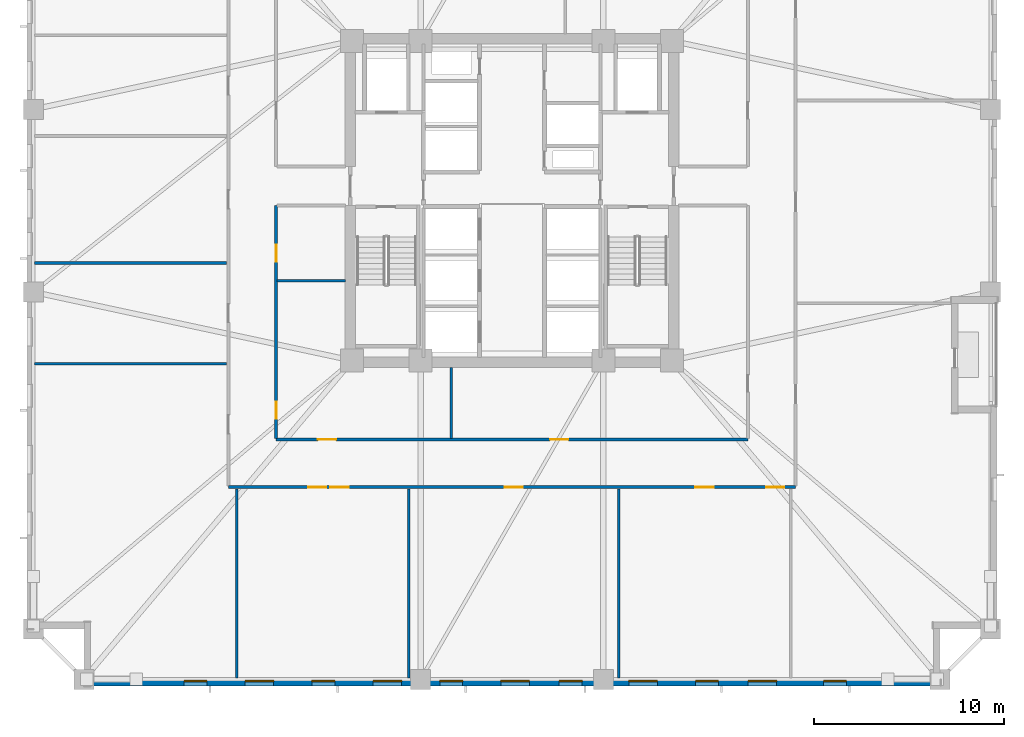
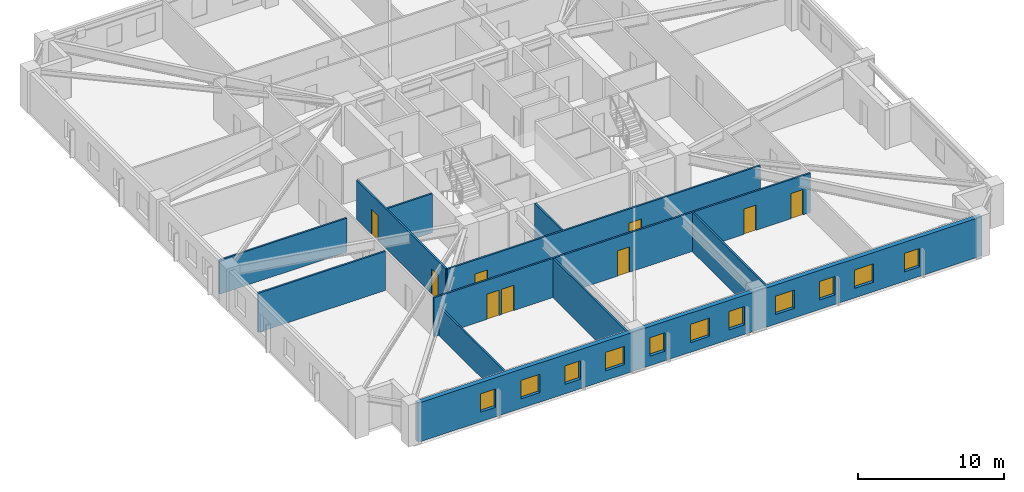
# One storey, part 2 of 11: 11 walls, 11 windows, 9 doors, 20 openings.
"""IFC4 building model written with IfcOpenShell, lengths in metres."""

import ifcopenshell
import ifcopenshell.guid

model = None  # the IFC model being written
_history = None  # IfcOwnerHistory: only IFC2X3 demands one
_inside = {}  # id of a spatial element -> (the spatial element, [elements in it])
_under = {}  # id of a project, library or spatial element -> (it, [spatial elements below it])
_declared = {}  # id of a project -> (the project, [libraries it declares])
_typed = {}  # id of a type object -> (the type object, [elements of that type])
_made_of = {}  # id of a material, layer set ... -> (it, [elements and type objects made of it])


def new_model(schema):
    """Start an empty IFC model of exactly this schema.

    Asked for "IFC4X3", IfcOpenShell would pick the latest addendum, in which some entities
    have other attributes; the version numbers below select the first issue.
    IFC2X3 requires an IfcOwnerHistory on every rooted entity: one is made here for all.
    """
    global model, _history
    if schema == "IFC4X3":
        model = ifcopenshell.file(schema_version=(4, 3, 0, 0))
    else:
        model = ifcopenshell.file(schema=schema)
    _inside.clear()
    _under.clear()
    _declared.clear()
    _typed.clear()
    _made_of.clear()
    _history = None
    if model.schema == "IFC2X3":
        org = make("IfcOrganization", Name="unknown")
        user = make(
            "IfcPersonAndOrganization",
            ThePerson=make("IfcPerson", FamilyName="unknown"),
            TheOrganization=org,
        )
        app = make(
            "IfcApplication",
            ApplicationDeveloper=org,
            Version="unknown",
            ApplicationFullName="unknown",
            ApplicationIdentifier="unknown",
        )
        _history = make(
            "IfcOwnerHistory",
            OwningUser=user,
            OwningApplication=app,
            ChangeAction="ADDED",
            CreationDate=0,
        )
    return model


def make(cls, **values):
    """One entity of the class cls with the attributes given. An attribute that is None is left unset."""
    return model.create_entity(
        cls, **{name: value for name, value in values.items() if value is not None}
    )


def rooted(cls, **values):
    """An entity with a GlobalId (a new one), such as an element, a storey or a relation."""
    return make(cls, GlobalId=ifcopenshell.guid.new(), OwnerHistory=_history, **values)


def si_unit(unit_type, name, prefix=None):
    """IfcSIUnit, for example si_unit("LENGTHUNIT", "METRE", prefix="MILLI")."""
    return make("IfcSIUnit", UnitType=unit_type, Prefix=prefix, Name=name)


def assignment(units):
    """IfcUnitAssignment: the units of a project."""
    return None if units is None else make("IfcUnitAssignment", Units=units)


def point(xyz):
    """IfcCartesianPoint."""
    return None if xyz is None else make("IfcCartesianPoint", Coordinates=xyz)


def direction(xyz):
    """IfcDirection."""
    return None if xyz is None else make("IfcDirection", DirectionRatios=xyz)


def frame(location, z_axis=None, x_axis=None):
    """IfcAxis2Placement3D, a coordinate frame: its origin and axes. An axis left out is left unset."""
    return make(
        "IfcAxis2Placement3D",
        Location=point(location),
        Axis=direction(z_axis),
        RefDirection=direction(x_axis),
    )


def frame_2d(location, x_axis=None):
    """IfcAxis2Placement2D, a coordinate frame in the plane: its origin and x axis."""
    return make(
        "IfcAxis2Placement2D", Location=point(location), RefDirection=direction(x_axis)
    )


def origin():
    """The frame at (0, 0, 0) with its axes left unset."""
    return frame((0.0, 0.0, 0.0))


def place(relative_to, where):
    """IfcLocalPlacement: puts the frame where relative to a parent placement (None: the world)."""
    return make(
        "IfcLocalPlacement", PlacementRelTo=relative_to, RelativePlacement=where
    )


def context(
    kind, dimensions, precision=None, world=None, true_north=None, identifier=None
):
    """IfcGeometricRepresentationContext, for example the 3D "Model" context."""
    return make(
        "IfcGeometricRepresentationContext",
        ContextIdentifier=identifier,
        ContextType=kind,
        CoordinateSpaceDimension=dimensions,
        Precision=precision,
        WorldCoordinateSystem=world,
        TrueNorth=true_north,
    )


def subcontext(parent, identifier, kind, view, scale=None):
    """IfcGeometricRepresentationSubContext, for example "Body" below "Model"."""
    return make(
        "IfcGeometricRepresentationSubContext",
        ContextIdentifier=identifier,
        ContextType=kind,
        ParentContext=parent,
        TargetScale=scale,
        TargetView=view,
    )


def project(units=None, contexts=None):
    """IfcProject with its units and contexts."""
    return rooted(
        "IfcProject",
        Name="project",
        RepresentationContexts=contexts,
        UnitsInContext=assignment(units),
    )


def spatial(cls, under=None, at=None, **own):
    """A site, building, storey or space (cls), placed at a placement, below another one or the project."""
    s = rooted(cls, ObjectPlacement=at, **own)
    if under is not None:
        _under.setdefault(under.id(), (under, []))[1].append(s)
    return s


def profile(cls, at=None, kind="AREA", **sizes):
    """A parametric profile (cls). Its sizes go by their IFC names, for example OverallWidth=200.0."""
    return make(cls, ProfileType=kind, Position=at, **sizes)


def rectangle(**sizes):
    """IfcRectangleProfileDef."""
    return profile("IfcRectangleProfileDef", **sizes)


def extrude(swept, where, along, depth):
    """IfcExtrudedAreaSolid: the profile swept, set in the frame where, extruded along a direction by depth."""
    return make(
        "IfcExtrudedAreaSolid",
        SweptArea=swept,
        Position=where,
        ExtrudedDirection=direction(along),
        Depth=depth,
    )


def shape(context_of_items, identifier, shape_type, items):
    """IfcShapeRepresentation: the items that make up one representation, for example the "Body"."""
    return make(
        "IfcShapeRepresentation",
        ContextOfItems=context_of_items,
        RepresentationIdentifier=identifier,
        RepresentationType=shape_type,
        Items=items,
    )


def material(Name=None, Category=None):
    """IfcMaterial."""
    return make("IfcMaterial", Name=Name, Category=Category)


def layer(
    of_material, thickness, ventilated=None, Name=None, Category=None, Priority=None
):
    """IfcMaterialLayer: one layer of a wall or slab, of a material (None: an air gap)."""
    return make(
        "IfcMaterialLayer",
        Material=of_material,
        LayerThickness=thickness,
        IsVentilated=ventilated,
        Name=Name,
        Category=Category,
        Priority=Priority,
    )


def layer_set(layers, Name=None):
    """IfcMaterialLayerSet."""
    return make("IfcMaterialLayerSet", MaterialLayers=layers, LayerSetName=Name)


def made_of(thing, what):
    """Note that an element or type object is made of a material, layer set ...; save() writes the relation."""
    if what is not None:
        _made_of.setdefault(what.id(), (what, []))[1].append(thing)
    return thing


def type_object(cls, material=None, **own):
    """A type object (cls), such as IfcWallType, which elements share."""
    return made_of(rooted(cls, **own), material)


def element(
    cls,
    number,
    at=None,
    inside=None,
    cuts=None,
    type_object=None,
    material=None,
    context=None,
    identifier="Body",
    shape_type=None,
    held_by="IfcProductDefinitionShape",
    body=None,
    shapes=None,
    **own,
):
    """One element of the class cls, such as IfcWall. Its Tag is "e" and its number.

    at: its placement. inside: the storey or other place that contains it. cuts: it is an
    opening in that element (IfcRelVoidsElement). A single representation is given by context,
    identifier, shape_type and body (its items); several are given by shapes. held_by: the class
    of the entity that holds the representations. save() writes the other relations.
    """
    e = rooted(cls, Tag="e%d" % number, ObjectPlacement=at, **own)
    if body is not None:
        shapes = [shape(context, identifier, shape_type, body)]
    if shapes is not None:
        e.Representation = make(held_by, Representations=shapes)
    if inside is not None:
        _inside.setdefault(inside.id(), (inside, []))[1].append(e)
    if cuts is not None:
        rooted(
            "IfcRelVoidsElement", RelatingBuildingElement=cuts, RelatedOpeningElement=e
        )
    if type_object is not None:
        _typed.setdefault(type_object.id(), (type_object, []))[1].append(e)
    return made_of(e, material)


def fill(opening, filler):
    """IfcRelFillsElement: the door or window that sits in an opening."""
    return rooted(
        "IfcRelFillsElement",
        RelatingOpeningElement=opening,
        RelatedBuildingElement=filler,
    )


def aggregate(whole, parts):
    """IfcRelAggregates: a whole, such as a stair, and the parts it consists of."""
    return rooted("IfcRelAggregates", RelatingObject=whole, RelatedObjects=parts)


def save(model, path):
    """Write the relations noted so far, then the file.

    IfcRelAggregates (storeys below a building ...), IfcRelContainedInSpatialStructure (elements
    in a storey), IfcRelDefinesByType, IfcRelAssociatesMaterial and IfcRelDeclares: one each for
    every whole, place, type object, material and project.
    """
    for whole, parts in _under.values():
        aggregate(whole, parts)
    for where, things in _inside.values():
        rooted(
            "IfcRelContainedInSpatialStructure",
            RelatedElements=things,
            RelatingStructure=where,
        )
    for kind, things in _typed.values():
        rooted("IfcRelDefinesByType", RelatedObjects=things, RelatingType=kind)
    for what, things in _made_of.values():
        rooted("IfcRelAssociatesMaterial", RelatedObjects=things, RelatingMaterial=what)
    for by, libraries in _declared.values():
        rooted("IfcRelDeclares", RelatingContext=by, RelatedDefinitions=libraries)
    model.write(path)


model = new_model("IFC4")

# Units and contexts
model_context = context("Model", 3, precision=1e-05, world=origin(), true_north=direction((0.0, 1.0)))
body_context = subcontext(model_context, "Body", "Model", "MODEL_VIEW")
ifc_project = project(units=[si_unit("LENGTHUNIT", "METRE"), si_unit("AREAUNIT", "SQUARE_METRE"), si_unit("VOLUMEUNIT", "CUBIC_METRE"), si_unit("PLANEANGLEUNIT", "RADIAN"), si_unit("MASSUNIT", "GRAM", prefix="KILO")], contexts=[model_context])

# Site, building, storey
site_placement = place(None, origin())
site = spatial("IfcSite", under=ifc_project, at=site_placement, CompositionType="ELEMENT")
building_placement = place(site_placement, origin())
building = spatial("IfcBuilding", under=site, at=building_placement, Name="Cairnveth Concourse Tower", CompositionType="ELEMENT")
storey_placement = place(building_placement, frame((0.0, 0.0, 62.0)))
storey = spatial("IfcBuildingStorey", under=building, at=storey_placement, Name="L16", CompositionType="ELEMENT", Elevation=62.0)

# Wall, openings, doors
ifc_material_1 = material(Name="Gypsum Plasterboard Partition", Category="gypsum")
ifc_layer_1 = layer(ifc_material_1, 0.139892578125)
ifc_layer_set_1 = layer_set([ifc_layer_1], Name="Gypsum Plasterboard Partition")
wall_type_1 = type_object("IfcWallType", Name="GYPSUM STUD PARTITION 140", PredefinedType="PARTITIONING", material=ifc_layer_set_1)
wall_1_placement = place(storey_placement, frame((37.10009765625, 23.949951171875, 0.0), z_axis=(0.0, 0.0, 1.0), x_axis=(1.0, 0.0, 0.0)))
wall_1 = element("IfcWall", 1, at=wall_1_placement, inside=storey, type_object=wall_type_1, Name="Interior Wall IW-L16-037", PredefinedType="PARTITIONING", context=body_context, shape_type="SweptSolid", body=[
    extrude(rectangle(XDim=29.7998046875, YDim=0.139892578125, at=frame_2d((14.89990234375, 0.0))), origin(), (0.0, 0.0, 1.0), 3.280029296875),
])
opening_1_placement = place(wall_1_placement, frame((4.19140625, 0.0, 0.0)))
opening_1 = element("IfcOpeningElement", 2, at=opening_1_placement, cuts=wall_1, Name="Opening ID11", PredefinedType="OPENING", context=body_context, shape_type="SweptSolid", body=[
    extrude(rectangle(XDim=0.9599609375, YDim=2.1201171875, at=frame_2d((0.47998046875, 1.06005859375))), frame((0.0, 0.079833984375, 0.0), z_axis=(0.0, -1.0, 0.0), x_axis=(1.0, 0.0, 0.0)), (0.0, 0.0, 1.0), 0.159912109375),
])
opening_2_placement = place(wall_1_placement, frame((5.35791015625, 0.0, 0.0)))
opening_2 = element("IfcOpeningElement", 3, at=opening_2_placement, cuts=wall_1, Name="Opening ID11", PredefinedType="OPENING", context=body_context, shape_type="SweptSolid", body=[
    extrude(rectangle(XDim=0.9599609375, YDim=2.1201171875, at=frame_2d((0.47998046875, 1.06005859375))), frame((0.0, 0.079833984375, 0.0), z_axis=(0.0, -1.0, 0.0), x_axis=(1.0, 0.0, 0.0)), (0.0, 0.0, 1.0), 0.159912109375),
])
opening_3_placement = place(wall_1_placement, frame((14.510009765625, 0.0, 0.0)))
opening_3 = element("IfcOpeningElement", 4, at=opening_3_placement, cuts=wall_1, Name="Opening ID11", PredefinedType="OPENING", context=body_context, shape_type="SweptSolid", body=[
    extrude(rectangle(XDim=0.9599609375, YDim=2.1201171875, at=frame_2d((0.47998046875, 1.06005859375))), frame((0.0, 0.079833984375, 0.0), z_axis=(0.0, -1.0, 0.0), x_axis=(1.0, 0.0, 0.0)), (0.0, 0.0, 1.0), 0.159912109375),
])
opening_4_placement = place(wall_1_placement, frame((24.5419921875, 0.0, 0.0)))
opening_4 = element("IfcOpeningElement", 5, at=opening_4_placement, cuts=wall_1, Name="Opening ID11", PredefinedType="OPENING", context=body_context, shape_type="SweptSolid", body=[
    extrude(rectangle(XDim=0.9599609375, YDim=2.1201171875, at=frame_2d((0.47998046875, 1.06005859375))), frame((0.0, 0.079833984375, 0.0), z_axis=(0.0, -1.0, 0.0), x_axis=(1.0, 0.0, 0.0)), (0.0, 0.0, 1.0), 0.159912109375),
])
opening_5_placement = place(wall_1_placement, frame((28.260009765625, 0.0, 0.0)))
opening_5 = element("IfcOpeningElement", 6, at=opening_5_placement, cuts=wall_1, Name="Opening ID11", PredefinedType="OPENING", context=body_context, shape_type="SweptSolid", body=[
    extrude(rectangle(XDim=0.9599609375, YDim=2.1201171875, at=frame_2d((0.47998046875, 1.06005859375))), frame((0.0, 0.079833984375, 0.0), z_axis=(0.0, -1.0, 0.0), x_axis=(1.0, 0.0, 0.0)), (0.0, 0.0, 1.0), 0.159912109375),
])
ifc_material_2 = material(Name="Solid Core Hardwood Timber Leaf", Category="wood")
door_type_1 = type_object("IfcDoorType", Name="INTERIOR SINGLE DOOR 960X2150", OperationType="NOTDEFINED", PredefinedType="DOOR", material=ifc_material_2)
door_1_placement = place(opening_1_placement, origin())
door_1 = element("IfcDoor", 7, at=door_1_placement, inside=storey, type_object=door_type_1, Name="Office Door L16-S1", OperationType="SINGLE_SWING_RIGHT", OverallHeight=2.1201171875, OverallWidth=0.9599609375, PredefinedType="DOOR", context=body_context, shape_type="SweptSolid", body=[
    extrude(rectangle(XDim=0.9599609375, YDim=2.1201171875, at=frame_2d((0.47998046875, 1.06005859375))), frame((0.0, 0.02490234375, 0.0), z_axis=(0.0, -1.0, 0.0), x_axis=(1.0, 0.0, 0.0)), (0.0, 0.0, 1.0), 0.050048828125),
])
fill(opening_1, door_1)
door_2_placement = place(opening_2_placement, origin())
door_2 = element("IfcDoor", 8, at=door_2_placement, inside=storey, type_object=door_type_1, Name="Office Door L16-S2", OperationType="SINGLE_SWING_LEFT", OverallHeight=2.1201171875, OverallWidth=0.9599609375, PredefinedType="DOOR", context=body_context, shape_type="SweptSolid", body=[
    extrude(rectangle(XDim=0.9599609375, YDim=2.1201171875, at=frame_2d((0.47998046875, 1.06005859375))), frame((0.0, 0.02490234375, 0.0), z_axis=(0.0, -1.0, 0.0), x_axis=(1.0, 0.0, 0.0)), (0.0, 0.0, 1.0), 0.050048828125),
])
fill(opening_2, door_2)
door_3_placement = place(opening_3_placement, origin())
door_3 = element("IfcDoor", 9, at=door_3_placement, inside=storey, type_object=door_type_1, Name="Office Door L16-S3", OperationType="SINGLE_SWING_RIGHT", OverallHeight=2.1201171875, OverallWidth=0.9599609375, PredefinedType="DOOR", context=body_context, shape_type="SweptSolid", body=[
    extrude(rectangle(XDim=0.9599609375, YDim=2.1201171875, at=frame_2d((0.47998046875, 1.06005859375))), frame((0.0, 0.02490234375, 0.0), z_axis=(0.0, -1.0, 0.0), x_axis=(1.0, 0.0, 0.0)), (0.0, 0.0, 1.0), 0.050048828125),
])
fill(opening_3, door_3)
door_4_placement = place(opening_4_placement, origin())
door_4 = element("IfcDoor", 10, at=door_4_placement, inside=storey, type_object=door_type_1, Name="Office Door L16-S4", OperationType="SINGLE_SWING_LEFT", OverallHeight=2.1201171875, OverallWidth=0.9599609375, PredefinedType="DOOR", context=body_context, shape_type="SweptSolid", body=[
    extrude(rectangle(XDim=0.9599609375, YDim=2.1201171875, at=frame_2d((0.47998046875, 1.06005859375))), frame((0.0, 0.02490234375, 0.0), z_axis=(0.0, -1.0, 0.0), x_axis=(1.0, 0.0, 0.0)), (0.0, 0.0, 1.0), 0.050048828125),
])
fill(opening_4, door_4)
door_5_placement = place(opening_5_placement, origin())
door_5 = element("IfcDoor", 11, at=door_5_placement, inside=storey, type_object=door_type_1, Name="Office Door L16-S5", OperationType="SINGLE_SWING_RIGHT", OverallHeight=2.1201171875, OverallWidth=0.9599609375, PredefinedType="DOOR", context=body_context, shape_type="SweptSolid", body=[
    extrude(rectangle(XDim=0.9599609375, YDim=2.1201171875, at=frame_2d((0.47998046875, 1.06005859375))), frame((0.0, 0.02490234375, 0.0), z_axis=(0.0, -1.0, 0.0), x_axis=(1.0, 0.0, 0.0)), (0.0, 0.0, 1.0), 0.050048828125),
])
fill(opening_5, door_5)

wall_2_placement = place(storey_placement, frame((39.60009765625, 26.449951171875, 0.0), z_axis=(0.0, 0.0, 1.0), x_axis=(1.0, 0.0, 0.0)))
wall_2 = element("IfcWall", 12, at=wall_2_placement, inside=storey, type_object=wall_type_1, Name="Interior Wall IW-L16-041", PredefinedType="PARTITIONING", context=body_context, shape_type="SweptSolid", body=[
    extrude(rectangle(XDim=24.7998046875, YDim=0.139892578125, at=frame_2d((12.39990234375, 0.0))), origin(), (0.0, 0.0, 1.0), 3.280029296875),
])
opening_6_placement = place(wall_2_placement, frame((2.199951171875, 0.0, 0.0)))
opening_6 = element("IfcOpeningElement", 13, at=opening_6_placement, cuts=wall_2, Name="Opening ID11", PredefinedType="OPENING", context=body_context, shape_type="SweptSolid", body=[
    extrude(rectangle(XDim=0.9599609375, YDim=2.1201171875, at=frame_2d((0.47998046875, 1.06005859375))), frame((0.0, 0.079833984375, 0.0), z_axis=(0.0, -1.0, 0.0), x_axis=(1.0, 0.0, 0.0)), (0.0, 0.0, 1.0), 0.159912109375),
])
opening_7_placement = place(wall_2_placement, frame((14.39990234375, 0.0, 0.0)))
opening_7 = element("IfcOpeningElement", 14, at=opening_7_placement, cuts=wall_2, Name="Opening ID11", PredefinedType="OPENING", context=body_context, shape_type="SweptSolid", body=[
    extrude(rectangle(XDim=0.9599609375, YDim=2.1201171875, at=frame_2d((0.47998046875, 1.06005859375))), frame((0.0, 0.079833984375, 0.0), z_axis=(0.0, -1.0, 0.0), x_axis=(1.0, 0.0, 0.0)), (0.0, 0.0, 1.0), 0.159912109375),
])
door_6_placement = place(opening_6_placement, origin())
door_6 = element("IfcDoor", 15, at=door_6_placement, inside=storey, type_object=door_type_1, Name="Interior Door DR-L16-013", OperationType="SINGLE_SWING_LEFT", OverallHeight=2.1201171875, OverallWidth=0.9599609375, PredefinedType="DOOR", context=body_context, shape_type="SweptSolid", body=[
    extrude(rectangle(XDim=0.9599609375, YDim=2.1201171875, at=frame_2d((0.47998046875, 1.06005859375))), frame((0.0, 0.02490234375, 0.0), z_axis=(0.0, -1.0, 0.0), x_axis=(1.0, 0.0, 0.0)), (0.0, 0.0, 1.0), 0.050048828125),
])
fill(opening_6, door_6)
door_7_placement = place(opening_7_placement, origin())
door_7 = element("IfcDoor", 16, at=door_7_placement, inside=storey, type_object=door_type_1, Name="Interior Door DR-L16-014", OperationType="SINGLE_SWING_RIGHT", OverallHeight=2.1201171875, OverallWidth=0.9599609375, PredefinedType="DOOR", context=body_context, shape_type="SweptSolid", body=[
    extrude(rectangle(XDim=0.9599609375, YDim=2.1201171875, at=frame_2d((0.47998046875, 1.06005859375))), frame((0.0, 0.02490234375, 0.0), z_axis=(0.0, -1.0, 0.0), x_axis=(1.0, 0.0, 0.0)), (0.0, 0.0, 1.0), 0.050048828125),
])
fill(opening_7, door_7)

wall_3_placement = place(storey_placement, frame((39.60009765625, 26.5048828125, 0.0), z_axis=(0.0, 0.0, 1.0), x_axis=(0.0, 1.0, 0.0)))
wall_3 = element("IfcWall", 17, at=wall_3_placement, inside=storey, type_object=wall_type_1, Name="Interior Wall IW-L16-043", PredefinedType="PARTITIONING", context=body_context, shape_type="SweptSolid", body=[
    extrude(rectangle(XDim=12.2451171875, YDim=0.139892578125, at=frame_2d((6.12255859375, 0.0))), origin(), (0.0, 0.0, 1.0), 3.280029296875),
])
opening_8_placement = place(wall_3_placement, frame((1.044921875, 0.0, 0.0)))
opening_8 = element("IfcOpeningElement", 18, at=opening_8_placement, cuts=wall_3, Name="Opening ID18", PredefinedType="OPENING", context=body_context, shape_type="SweptSolid", body=[
    extrude(rectangle(XDim=0.8798828125, YDim=2.10009765625, at=frame_2d((0.43994140625, 1.050048828125))), frame((0.0, 0.079833984375, 0.0), z_axis=(0.0, -1.0, 0.0), x_axis=(1.0, 0.0, 0.0)), (0.0, 0.0, 1.0), 0.159912109375),
])
opening_9_placement = place(wall_3_placement, frame((9.294921875, 0.0, 0.0)))
opening_9 = element("IfcOpeningElement", 19, at=opening_9_placement, cuts=wall_3, Name="Opening ID18", PredefinedType="OPENING", context=body_context, shape_type="SweptSolid", body=[
    extrude(rectangle(XDim=0.8798828125, YDim=2.10009765625, at=frame_2d((0.43994140625, 1.050048828125))), frame((0.0, 0.079833984375, 0.0), z_axis=(0.0, -1.0, 0.0), x_axis=(1.0, 0.0, 0.0)), (0.0, 0.0, 1.0), 0.159912109375),
])
door_type_2 = type_object("IfcDoorType", Name="INTERIOR SINGLE DOOR 880X2100", OperationType="NOTDEFINED", PredefinedType="DOOR", material=ifc_material_2)
door_8_placement = place(opening_8_placement, origin())
door_8 = element("IfcDoor", 20, at=door_8_placement, inside=storey, type_object=door_type_2, Name="Interior Door DR-L16-017", OperationType="SINGLE_SWING_LEFT", OverallHeight=2.10009765625, OverallWidth=0.8798828125, PredefinedType="DOOR", context=body_context, shape_type="SweptSolid", body=[
    extrude(rectangle(XDim=0.8798828125, YDim=2.10009765625, at=frame_2d((0.43994140625, 1.050048828125))), frame((0.0, 0.02490234375, 0.0), z_axis=(0.0, -1.0, 0.0), x_axis=(1.0, 0.0, 0.0)), (0.0, 0.0, 1.0), 0.050048828125),
])
fill(opening_8, door_8)
door_9_placement = place(opening_9_placement, origin())
door_9 = element("IfcDoor", 21, at=door_9_placement, inside=storey, type_object=door_type_2, Name="Interior Door DR-L16-018", OperationType="SINGLE_SWING_RIGHT", OverallHeight=2.10009765625, OverallWidth=0.8798828125, PredefinedType="DOOR", context=body_context, shape_type="SweptSolid", body=[
    extrude(rectangle(XDim=0.8798828125, YDim=2.10009765625, at=frame_2d((0.43994140625, 1.050048828125))), frame((0.0, 0.02490234375, 0.0), z_axis=(0.0, -1.0, 0.0), x_axis=(1.0, 0.0, 0.0)), (0.0, 0.0, 1.0), 0.050048828125),
])
fill(opening_9, door_9)

# Walls
wall_4_placement = place(storey_placement, frame((48.800048828125, 26.5048828125, 0.0), z_axis=(0.0, 0.0, 1.0), x_axis=(0.0, 1.0, 0.0)))
element("IfcWall", 22, at=wall_4_placement, inside=storey, type_object=wall_type_1, Name="Interior Wall IW-L16-051", PredefinedType="PARTITIONING", context=body_context, shape_type="SweptSolid", body=[
    extrude(rectangle(XDim=3.735107421875, YDim=0.139892578125, at=frame_2d((1.86767578125, 0.0))), origin(), (0.0, 0.0, 1.0), 3.280029296875),
])
wall_5_placement = place(storey_placement, frame((39.655029296875, 34.800048828125, 0.0), z_axis=(0.0, 0.0, 1.0), x_axis=(1.0, 0.0, 0.0)))
element("IfcWall", 23, at=wall_5_placement, inside=storey, type_object=wall_type_1, Name="Interior Wall IW-L16-053", PredefinedType="PARTITIONING", context=body_context, shape_type="SweptSolid", body=[
    extrude(rectangle(XDim=3.5849609375, YDim=0.139892578125, at=frame_2d((1.79248046875, 0.0))), origin(), (0.0, 0.0, 1.0), 3.280029296875),
])
wall_6_placement = place(storey_placement, frame((37.537109375, 13.919921875, 0.0), z_axis=(0.0, 0.0, 1.0), x_axis=(0.0, 1.0, 0.0)))
element("IfcWall", 24, at=wall_6_placement, inside=storey, type_object=wall_type_1, Name="Interior Wall IW-L16-054", PredefinedType="PARTITIONING", context=body_context, shape_type="SweptSolid", body=[
    extrude(rectangle(XDim=9.93017578125, YDim=0.139892578125, at=frame_2d((4.965087890625, 0.0))), origin(), (0.0, 0.0, 1.0), 2.43896484375),
])
for number, where, z_axis, x_axis, name in (
    (25, (46.5791015625, 13.919921875, 0.0), (0.0, 0.0, 1.0), (0.0, 1.0, 0.0), "Interior Wall IW-L16-055"),
    (26, (57.60107421875, 13.919921875, 0.0), (0.0, 0.0, 1.0), (0.0, 1.0, 0.0), "Interior Wall IW-L16-056"),
):
    element("IfcWall", number, at=place(storey_placement, frame(where, z_axis=z_axis, x_axis=x_axis)), inside=storey, type_object=wall_type_1, Name=name, PredefinedType="PARTITIONING", context=body_context, shape_type="SweptSolid", body=[
        extrude(rectangle(XDim=9.93017578125, YDim=0.139892578125, at=frame_2d((4.965087890625, 0.0))), origin(), (0.0, 0.0, 1.0), 3.280029296875),
    ])
wall_7_placement = place(storey_placement, frame((26.919921875, 30.439453125, 0.0), z_axis=(0.0, 0.0, 1.0), x_axis=(1.0, 0.0, 0.0)))
element("IfcWall", 27, at=wall_7_placement, inside=storey, type_object=wall_type_1, Name="Interior Wall IW-L16-061", PredefinedType="PARTITIONING", context=body_context, shape_type="SweptSolid", body=[
    extrude(rectangle(XDim=10.080078125, YDim=0.139892578125, at=frame_2d((5.0400390625, 0.0))), origin(), (0.0, 0.0, 1.0), 3.280029296875),
])
wall_8_placement = place(storey_placement, frame((26.919921875, 35.7265625, 0.0), z_axis=(0.0, 0.0, 1.0), x_axis=(1.0, 0.0, 0.0)))
element("IfcWall", 28, at=wall_8_placement, inside=storey, type_object=wall_type_1, Name="Interior Wall IW-L16-062", PredefinedType="PARTITIONING", context=body_context, shape_type="SweptSolid", body=[
    extrude(rectangle(XDim=10.080078125, YDim=0.139892578125, at=frame_2d((5.0400390625, 0.0))), origin(), (0.0, 0.0, 1.0), 2.84912109375),
])

# Wall, openings, windows
ifc_material_3 = material(Name="Hawthorn Red-Ochre Fired Clay Brick Masonry", Category="masonry")
ifc_layer_2 = layer(ifc_material_3, 0.360107421875)
ifc_layer_set_2 = layer_set([ifc_layer_2], Name="Hawthorn Red-Ochre Fired Clay Brick Masonry")
wall_type_2 = type_object("IfcWallType", Name="ZONE 1 BRICK PIER SPANDREL WALL 360", PredefinedType="SOLIDWALL", material=ifc_layer_set_2)
wall_9_placement = place(storey_placement, frame((74.5, 13.679931640625, 0.0), z_axis=(0.0, 0.0, 1.0), x_axis=(-1.0, 0.0, 0.0)))
wall_9 = element("IfcWall", 29, at=wall_9_placement, inside=storey, type_object=wall_type_2, Name="Exterior Wall EW-L16-S03", PredefinedType="SOLIDWALL", context=body_context, shape_type="SweptSolid", body=[
    extrude(rectangle(XDim=44.662109375, YDim=0.360107421875, at=frame_2d((22.3310546875, 0.0))), origin(), (0.0, 0.0, 1.0), 3.280029296875),
])
opening_10_placement = place(wall_9_placement, frame((4.93017578125, 0.0, 0.800048828125)))
opening_10 = element("IfcOpeningElement", 30, at=opening_10_placement, cuts=wall_9, Name="Opening W01", PredefinedType="OPENING", context=body_context, shape_type="SweptSolid", body=[
    extrude(rectangle(XDim=1.199951171875, YDim=1.5439453125, at=frame_2d((0.60009765625, 0.77197265625))), frame((0.0, 0.18994140625, 0.0), z_axis=(0.0, -1.0, 0.0), x_axis=(1.0, 0.0, 0.0)), (0.0, 0.0, 1.0), 0.380126953125),
])
opening_11_placement = place(wall_9_placement, frame((8.59033203125, 0.0, 0.800048828125)))
opening_11 = element("IfcOpeningElement", 31, at=opening_11_placement, cuts=wall_9, Name="Opening W03", PredefinedType="OPENING", context=body_context, shape_type="SweptSolid", body=[
    extrude(rectangle(XDim=1.5, YDim=1.5439453125, at=frame_2d((0.75, 0.77197265625))), frame((0.0, 0.18994140625, 0.0), z_axis=(0.0, -1.0, 0.0), x_axis=(1.0, 0.0, 0.0)), (0.0, 0.0, 1.0), 0.380126953125),
])
opening_12_placement = place(wall_9_placement, frame((11.650390625, 0.0, 0.800048828125)))
opening_12 = element("IfcOpeningElement", 32, at=opening_12_placement, cuts=wall_9, Name="Opening W01", PredefinedType="OPENING", context=body_context, shape_type="SweptSolid", body=[
    extrude(rectangle(XDim=1.199951171875, YDim=1.5439453125, at=frame_2d((0.60009765625, 0.77197265625))), frame((0.0, 0.18994140625, 0.0), z_axis=(0.0, -1.0, 0.0), x_axis=(1.0, 0.0, 0.0)), (0.0, 0.0, 1.0), 0.380126953125),
])
opening_13_placement = place(wall_9_placement, frame((14.860595703125, 0.0, 0.800048828125)))
opening_13 = element("IfcOpeningElement", 33, at=opening_13_placement, cuts=wall_9, Name="Opening W03", PredefinedType="OPENING", context=body_context, shape_type="SweptSolid", body=[
    extrude(rectangle(XDim=1.5, YDim=1.5439453125, at=frame_2d((0.75, 0.77197265625))), frame((0.0, 0.18994140625, 0.0), z_axis=(0.0, -1.0, 0.0), x_axis=(1.0, 0.0, 0.0)), (0.0, 0.0, 1.0), 0.380126953125),
])
opening_14_placement = place(wall_9_placement, frame((18.82080078125, 0.0, 0.800048828125)))
opening_14 = element("IfcOpeningElement", 34, at=opening_14_placement, cuts=wall_9, Name="Opening W01", PredefinedType="OPENING", context=body_context, shape_type="SweptSolid", body=[
    extrude(rectangle(XDim=1.199951171875, YDim=1.5439453125, at=frame_2d((0.60009765625, 0.77197265625))), frame((0.0, 0.18994140625, 0.0), z_axis=(0.0, -1.0, 0.0), x_axis=(1.0, 0.0, 0.0)), (0.0, 0.0, 1.0), 0.380126953125),
])
opening_15_placement = place(wall_9_placement, frame((21.5810546875, 0.0, 0.800048828125)))
opening_15 = element("IfcOpeningElement", 35, at=opening_15_placement, cuts=wall_9, Name="Opening W03", PredefinedType="OPENING", context=body_context, shape_type="SweptSolid", body=[
    extrude(rectangle(XDim=1.5, YDim=1.5439453125, at=frame_2d((0.75, 0.77197265625))), frame((0.0, 0.18994140625, 0.0), z_axis=(0.0, -1.0, 0.0), x_axis=(1.0, 0.0, 0.0)), (0.0, 0.0, 1.0), 0.380126953125),
])
opening_16_placement = place(wall_9_placement, frame((25.09130859375, 0.0, 0.800048828125)))
opening_16 = element("IfcOpeningElement", 36, at=opening_16_placement, cuts=wall_9, Name="Opening W01", PredefinedType="OPENING", context=body_context, shape_type="SweptSolid", body=[
    extrude(rectangle(XDim=1.199951171875, YDim=1.5439453125, at=frame_2d((0.60009765625, 0.77197265625))), frame((0.0, 0.18994140625, 0.0), z_axis=(0.0, -1.0, 0.0), x_axis=(1.0, 0.0, 0.0)), (0.0, 0.0, 1.0), 0.380126953125),
])
opening_17_placement = place(wall_9_placement, frame((28.301513671875, 0.0, 0.800048828125)))
opening_17 = element("IfcOpeningElement", 37, at=opening_17_placement, cuts=wall_9, Name="Opening W03", PredefinedType="OPENING", context=body_context, shape_type="SweptSolid", body=[
    extrude(rectangle(XDim=1.5, YDim=1.5439453125, at=frame_2d((0.75, 0.77197265625))), frame((0.0, 0.18994140625, 0.0), z_axis=(0.0, -1.0, 0.0), x_axis=(1.0, 0.0, 0.0)), (0.0, 0.0, 1.0), 0.380126953125),
])
opening_18_placement = place(wall_9_placement, frame((31.8115234375, 0.0, 0.800048828125)))
opening_18 = element("IfcOpeningElement", 38, at=opening_18_placement, cuts=wall_9, Name="Opening W01", PredefinedType="OPENING", context=body_context, shape_type="SweptSolid", body=[
    extrude(rectangle(XDim=1.199951171875, YDim=1.5439453125, at=frame_2d((0.60009765625, 0.77197265625))), frame((0.0, 0.18994140625, 0.0), z_axis=(0.0, -1.0, 0.0), x_axis=(1.0, 0.0, 0.0)), (0.0, 0.0, 1.0), 0.380126953125),
])
opening_19_placement = place(wall_9_placement, frame((35.021728515625, 0.0, 0.800048828125)))
opening_19 = element("IfcOpeningElement", 39, at=opening_19_placement, cuts=wall_9, Name="Opening W03", PredefinedType="OPENING", context=body_context, shape_type="SweptSolid", body=[
    extrude(rectangle(XDim=1.5, YDim=1.5439453125, at=frame_2d((0.75, 0.77197265625))), frame((0.0, 0.18994140625, 0.0), z_axis=(0.0, -1.0, 0.0), x_axis=(1.0, 0.0, 0.0)), (0.0, 0.0, 1.0), 0.380126953125),
])
opening_20_placement = place(wall_9_placement, frame((38.531982421875, 0.0, 0.800048828125)))
opening_20 = element("IfcOpeningElement", 40, at=opening_20_placement, cuts=wall_9, Name="Opening W01", PredefinedType="OPENING", context=body_context, shape_type="SweptSolid", body=[
    extrude(rectangle(XDim=1.199951171875, YDim=1.5439453125, at=frame_2d((0.60009765625, 0.77197265625))), frame((0.0, 0.18994140625, 0.0), z_axis=(0.0, -1.0, 0.0), x_axis=(1.0, 0.0, 0.0)), (0.0, 0.0, 1.0), 0.380126953125),
])
ifc_material_4 = material(Name="Double Glazed Low-E Clear Glass", Category="glass")
window_type_1 = type_object("IfcWindowType", Name="DEEP-SET GOTHIC LANCET WINDOW 1200X1800", PartitioningType="DOUBLE_PANEL_VERTICAL", PredefinedType="WINDOW", material=ifc_material_4)
window_1_placement = place(opening_10_placement, origin())
window_1 = element("IfcWindow", 41, at=window_1_placement, inside=storey, type_object=window_type_1, Name="Gothic Lancet Window L16-3-1", OverallHeight=1.5439453125, OverallWidth=1.199951171875, PartitioningType="SINGLE_PANEL", PredefinedType="WINDOW", context=body_context, shape_type="SweptSolid", body=[
    extrude(rectangle(XDim=1.199951171875, YDim=1.5439453125, at=frame_2d((0.60009765625, 0.77197265625))), frame((0.0, -0.050048828125, 0.0), z_axis=(0.0, -1.0, 0.0), x_axis=(1.0, 0.0, 0.0)), (0.0, 0.0, 1.0), 0.06005859375),
])
fill(opening_10, window_1)
window_2_placement = place(opening_12_placement, origin())
window_2 = element("IfcWindow", 42, at=window_2_placement, inside=storey, type_object=window_type_1, Name="Gothic Lancet Window L16-3-3", OverallHeight=1.5439453125, OverallWidth=1.199951171875, PartitioningType="SINGLE_PANEL", PredefinedType="WINDOW", context=body_context, shape_type="SweptSolid", body=[
    extrude(rectangle(XDim=1.199951171875, YDim=1.5439453125, at=frame_2d((0.60009765625, 0.77197265625))), frame((0.0, -0.050048828125, 0.0), z_axis=(0.0, -1.0, 0.0), x_axis=(1.0, 0.0, 0.0)), (0.0, 0.0, 1.0), 0.06005859375),
])
fill(opening_12, window_2)
window_3_placement = place(opening_14_placement, origin())
window_3 = element("IfcWindow", 43, at=window_3_placement, inside=storey, type_object=window_type_1, Name="Gothic Lancet Window L16-3-5", OverallHeight=1.5439453125, OverallWidth=1.199951171875, PartitioningType="SINGLE_PANEL", PredefinedType="WINDOW", context=body_context, shape_type="SweptSolid", body=[
    extrude(rectangle(XDim=1.199951171875, YDim=1.5439453125, at=frame_2d((0.60009765625, 0.77197265625))), frame((0.0, -0.050048828125, 0.0), z_axis=(0.0, -1.0, 0.0), x_axis=(1.0, 0.0, 0.0)), (0.0, 0.0, 1.0), 0.06005859375),
])
fill(opening_14, window_3)
window_4_placement = place(opening_16_placement, origin())
window_4 = element("IfcWindow", 44, at=window_4_placement, inside=storey, type_object=window_type_1, Name="Gothic Lancet Window L16-3-7", OverallHeight=1.5439453125, OverallWidth=1.199951171875, PartitioningType="SINGLE_PANEL", PredefinedType="WINDOW", context=body_context, shape_type="SweptSolid", body=[
    extrude(rectangle(XDim=1.199951171875, YDim=1.5439453125, at=frame_2d((0.60009765625, 0.77197265625))), frame((0.0, -0.050048828125, 0.0), z_axis=(0.0, -1.0, 0.0), x_axis=(1.0, 0.0, 0.0)), (0.0, 0.0, 1.0), 0.06005859375),
])
fill(opening_16, window_4)
window_5_placement = place(opening_18_placement, origin())
window_5 = element("IfcWindow", 45, at=window_5_placement, inside=storey, type_object=window_type_1, Name="Gothic Lancet Window L16-3-9", OverallHeight=1.5439453125, OverallWidth=1.199951171875, PartitioningType="SINGLE_PANEL", PredefinedType="WINDOW", context=body_context, shape_type="SweptSolid", body=[
    extrude(rectangle(XDim=1.199951171875, YDim=1.5439453125, at=frame_2d((0.60009765625, 0.77197265625))), frame((0.0, -0.050048828125, 0.0), z_axis=(0.0, -1.0, 0.0), x_axis=(1.0, 0.0, 0.0)), (0.0, 0.0, 1.0), 0.06005859375),
])
fill(opening_18, window_5)
window_6_placement = place(opening_20_placement, origin())
window_6 = element("IfcWindow", 46, at=window_6_placement, inside=storey, type_object=window_type_1, Name="Gothic Lancet Window L16-3-11", OverallHeight=1.5439453125, OverallWidth=1.199951171875, PartitioningType="SINGLE_PANEL", PredefinedType="WINDOW", context=body_context, shape_type="SweptSolid", body=[
    extrude(rectangle(XDim=1.199951171875, YDim=1.5439453125, at=frame_2d((0.60009765625, 0.77197265625))), frame((0.0, -0.050048828125, 0.0), z_axis=(0.0, -1.0, 0.0), x_axis=(1.0, 0.0, 0.0)), (0.0, 0.0, 1.0), 0.06005859375),
])
fill(opening_20, window_6)
window_type_2 = type_object("IfcWindowType", Name="DEEP-SET GOTHIC LANCET WINDOW 1500X1800", PartitioningType="DOUBLE_PANEL_VERTICAL", PredefinedType="WINDOW", material=ifc_material_4)
window_7_placement = place(opening_11_placement, origin())
window_7 = element("IfcWindow", 47, at=window_7_placement, inside=storey, type_object=window_type_2, Name="Gothic Lancet Window L16-3-2", OverallHeight=1.5439453125, OverallWidth=1.5, PartitioningType="SINGLE_PANEL", PredefinedType="WINDOW", context=body_context, shape_type="SweptSolid", body=[
    extrude(rectangle(XDim=1.5, YDim=1.5439453125, at=frame_2d((0.75, 0.77197265625))), frame((0.0, -0.050048828125, 0.0), z_axis=(0.0, -1.0, 0.0), x_axis=(1.0, 0.0, 0.0)), (0.0, 0.0, 1.0), 0.06005859375),
])
fill(opening_11, window_7)
window_8_placement = place(opening_13_placement, origin())
window_8 = element("IfcWindow", 48, at=window_8_placement, inside=storey, type_object=window_type_2, Name="Gothic Lancet Window L16-3-4", OverallHeight=1.5439453125, OverallWidth=1.5, PartitioningType="SINGLE_PANEL", PredefinedType="WINDOW", context=body_context, shape_type="SweptSolid", body=[
    extrude(rectangle(XDim=1.5, YDim=1.5439453125, at=frame_2d((0.75, 0.77197265625))), frame((0.0, -0.050048828125, 0.0), z_axis=(0.0, -1.0, 0.0), x_axis=(1.0, 0.0, 0.0)), (0.0, 0.0, 1.0), 0.06005859375),
])
fill(opening_13, window_8)
window_9_placement = place(opening_15_placement, origin())
window_9 = element("IfcWindow", 49, at=window_9_placement, inside=storey, type_object=window_type_2, Name="Gothic Lancet Window L16-3-6", OverallHeight=1.5439453125, OverallWidth=1.5, PartitioningType="SINGLE_PANEL", PredefinedType="WINDOW", context=body_context, shape_type="SweptSolid", body=[
    extrude(rectangle(XDim=1.5, YDim=1.5439453125, at=frame_2d((0.75, 0.77197265625))), frame((0.0, -0.050048828125, 0.0), z_axis=(0.0, -1.0, 0.0), x_axis=(1.0, 0.0, 0.0)), (0.0, 0.0, 1.0), 0.06005859375),
])
fill(opening_15, window_9)
window_10_placement = place(opening_17_placement, origin())
window_10 = element("IfcWindow", 50, at=window_10_placement, inside=storey, type_object=window_type_2, Name="Gothic Lancet Window L16-3-8", OverallHeight=1.5439453125, OverallWidth=1.5, PartitioningType="SINGLE_PANEL", PredefinedType="WINDOW", context=body_context, shape_type="SweptSolid", body=[
    extrude(rectangle(XDim=1.5, YDim=1.5439453125, at=frame_2d((0.75, 0.77197265625))), frame((0.0, -0.050048828125, 0.0), z_axis=(0.0, -1.0, 0.0), x_axis=(1.0, 0.0, 0.0)), (0.0, 0.0, 1.0), 0.06005859375),
])
fill(opening_17, window_10)
window_11_placement = place(opening_19_placement, origin())
window_11 = element("IfcWindow", 51, at=window_11_placement, inside=storey, type_object=window_type_2, Name="Gothic Lancet Window L16-3-10", OverallHeight=1.5439453125, OverallWidth=1.5, PartitioningType="SINGLE_PANEL", PredefinedType="WINDOW", context=body_context, shape_type="SweptSolid", body=[
    extrude(rectangle(XDim=1.5, YDim=1.5439453125, at=frame_2d((0.75, 0.77197265625))), frame((0.0, -0.050048828125, 0.0), z_axis=(0.0, -1.0, 0.0), x_axis=(1.0, 0.0, 0.0)), (0.0, 0.0, 1.0), 0.06005859375),
])
fill(opening_19, window_11)

save(model, "model.ifc")
